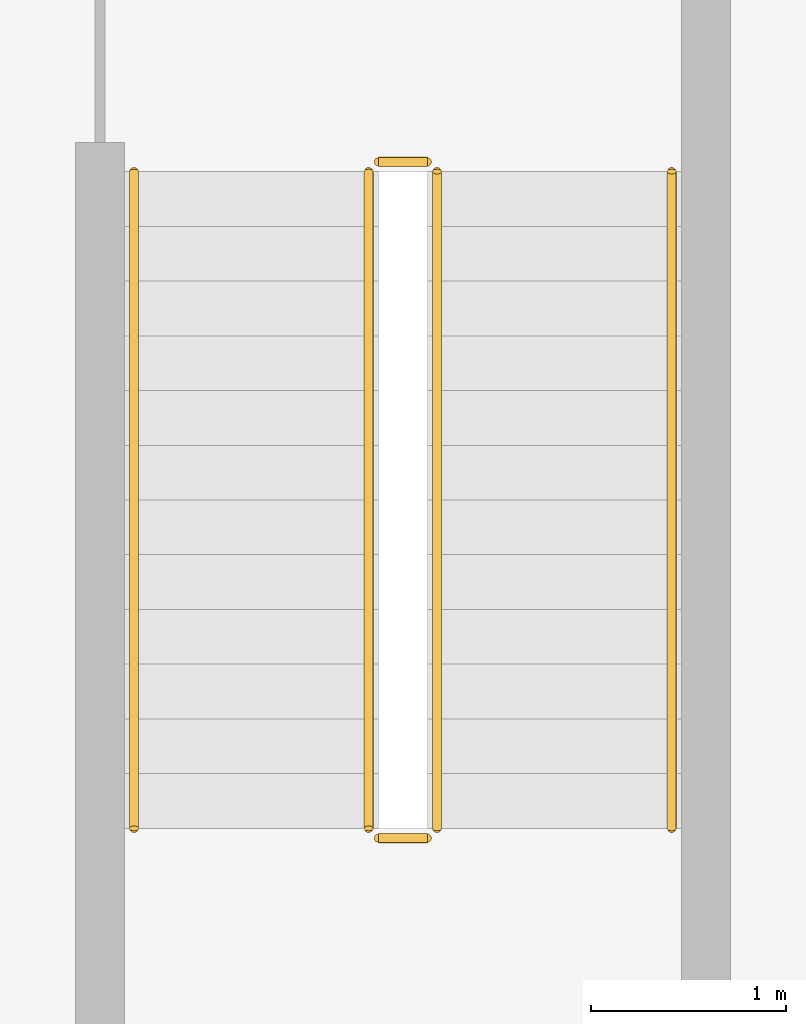
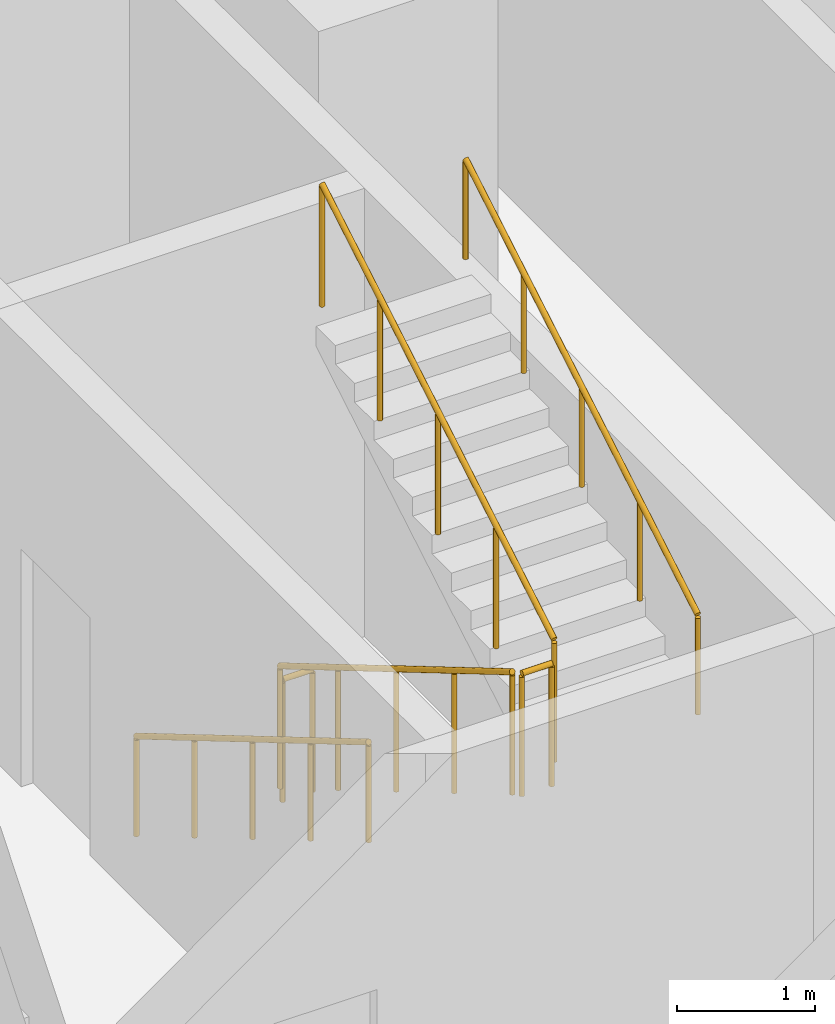
# One storey, part 25 of 29: 6 railings.
"""IFC4 building model written with IfcOpenShell, lengths in metres."""

from ifc_helpers import new_model, si_unit, direction, frame, origin, origin_2d, place, context, subcontext, project, spatial, circle, extrude, material, type_object, element, save


model = new_model("IFC4")

# Units and contexts
model_context = context("Model", 3, precision=1e-05, world=origin(), true_north=direction((0.0, 1.0)))
body_context = subcontext(model_context, "Body", "Model", "MODEL_VIEW")
ifc_project = project(units=[si_unit("LENGTHUNIT", "METRE"), si_unit("AREAUNIT", "SQUARE_METRE"), si_unit("VOLUMEUNIT", "CUBIC_METRE"), si_unit("PLANEANGLEUNIT", "RADIAN"), si_unit("MASSUNIT", "GRAM", prefix="KILO")], contexts=[model_context])

# Site, building, storey
site_placement = place(None, origin())
site = spatial("IfcSite", under=ifc_project, at=site_placement, CompositionType="ELEMENT")
building_placement = place(site_placement, origin())
building = spatial("IfcBuilding", under=site, at=building_placement, Name="Mahtab Terrace Research Tower", CompositionType="ELEMENT")
storey_placement = place(building_placement, frame((0.0, 0.0, 63.199951171875)))
storey = spatial("IfcBuildingStorey", under=building, at=storey_placement, Name="L14", CompositionType="ELEMENT", Elevation=63.199951171875)

# Railings
ifc_material = material(Name="Stainless steel AISI 304", Category="steel")
railing_type_1 = type_object("IfcRailingType", Name="Stair guard 1100", PredefinedType="GUARDRAIL", material=ifc_material)
railing_1_placement = place(storey_placement, frame((2.949951171875, -4.175048828125, 0.16552734375)))
element("IfcRailing", 1, at=railing_1_placement, inside=storey, type_object=railing_type_1, Name="L14 ST2 stair guard 1", PredefinedType="GUARDRAIL", context=body_context, shape_type="SweptSolid", body=[
    extrude(circle(Radius=0.02392578125, at=origin_2d()), frame((0.0, 0.0, 1.076171875), z_axis=(0.0, -0.861011212953, 0.508585972249), x_axis=(1.0, 0.0, 0.0)), (0.0, 0.0, 1.0), 3.90234375),
    extrude(circle(Radius=0.02099609375, at=origin_2d()), origin(), (0.0, 0.0, 1.0), 1.052001953125),
    extrude(circle(Radius=0.02099609375, at=origin_2d()), frame((0.0, -0.83984375, 0.49609375)), (0.0, 0.0, 1.0), 1.052001953125),
    extrude(circle(Radius=0.02099609375, at=origin_2d()), frame((0.0, -1.679931640625, 0.9921875)), (0.0, 0.0, 1.0), 1.052001953125),
    extrude(circle(Radius=0.02099609375, at=origin_2d()), frame((0.0, -2.52001953125, 1.488525390625)), (0.0, 0.0, 1.0), 1.052001953125),
    extrude(circle(Radius=0.02099609375, at=origin_2d()), frame((0.0, -3.35986328125, 1.984619140625)), (0.0, 0.0, 1.0), 1.052001953125),
])
railing_2_placement = place(storey_placement, frame((3.0, -7.5849609375, 2.150146484375)))
element("IfcRailing", 2, at=railing_2_placement, inside=storey, type_object=railing_type_1, Name="L14 ST2 stair guard 2", PredefinedType="GUARDRAIL", context=body_context, shape_type="SweptSolid", body=[
    extrude(circle(Radius=0.02392578125, at=origin_2d()), frame((0.0, 0.0, 1.076171875), z_axis=(1.0, 0.0, 0.0), x_axis=(0.0, 1.0, 0.0)), (0.0, 0.0, 1.0), 0.25),
    extrude(circle(Radius=0.02099609375, at=origin_2d()), origin(), (0.0, 0.0, 1.0), 1.052001953125),
    extrude(circle(Radius=0.02099609375, at=origin_2d()), frame((0.25, 0.0, 0.0)), (0.0, 0.0, 1.0), 1.052001953125),
])
railing_3_placement = place(storey_placement, frame((3.300048828125, -7.534912109375, 2.3154296875)))
element("IfcRailing", 3, at=railing_3_placement, inside=storey, type_object=railing_type_1, Name="L14 ST2 stair guard 3", PredefinedType="GUARDRAIL", context=body_context, shape_type="SweptSolid", body=[
    extrude(circle(Radius=0.02392578125, at=origin_2d()), frame((0.0, 0.0, 1.076171875), z_axis=(0.0, 0.861011212953, 0.508585972249), x_axis=(-1.0, 0.0, 0.0)), (0.0, 0.0, 1.0), 3.90234375),
    extrude(circle(Radius=0.02099609375, at=origin_2d()), origin(), (0.0, 0.0, 1.0), 1.052001953125),
    extrude(circle(Radius=0.02099609375, at=origin_2d()), frame((0.0, 0.83984375, 0.49609375)), (0.0, 0.0, 1.0), 1.052001953125),
    extrude(circle(Radius=0.02099609375, at=origin_2d()), frame((0.0, 1.679931640625, 0.9921875)), (0.0, 0.0, 1.0), 1.052001953125),
    extrude(circle(Radius=0.02099609375, at=origin_2d()), frame((0.0, 2.52001953125, 1.488525390625)), (0.0, 0.0, 1.0), 1.052001953125),
    extrude(circle(Radius=0.02099609375, at=origin_2d()), frame((0.0, 3.35986328125, 1.984619140625)), (0.0, 0.0, 1.0), 1.052001953125),
])
railing_4_placement = place(storey_placement, frame((3.0, -4.125, 0.0)))
element("IfcRailing", 4, at=railing_4_placement, inside=storey, type_object=railing_type_1, Name="L14 ST2 stair guard 4", PredefinedType="GUARDRAIL", context=body_context, shape_type="SweptSolid", body=[
    extrude(circle(Radius=0.02392578125, at=origin_2d()), frame((0.0, 0.0, 1.076171875), z_axis=(1.0, 0.0, 0.0), x_axis=(0.0, 1.0, 0.0)), (0.0, 0.0, 1.0), 0.25),
    extrude(circle(Radius=0.02099609375, at=origin_2d()), origin(), (0.0, 0.0, 1.0), 1.052001953125),
    extrude(circle(Radius=0.02099609375, at=origin_2d()), frame((0.25, 0.0, 0.0)), (0.0, 0.0, 1.0), 1.052001953125),
])
railing_type_2 = type_object("IfcRailingType", Name="Stair handrail 900", PredefinedType="HANDRAIL", material=ifc_material)
railing_5_placement = place(storey_placement, frame((1.75, -4.175048828125, 0.16552734375)))
element("IfcRailing", 5, at=railing_5_placement, inside=storey, type_object=railing_type_2, Name="L14 ST2 stair handrail 1", PredefinedType="HANDRAIL", context=body_context, shape_type="SweptSolid", body=[
    extrude(circle(Radius=0.02392578125, at=origin_2d()), frame((0.0, 0.0, 0.8759765625), z_axis=(0.0, -0.861011212953, 0.508585972249), x_axis=(1.0, 0.0, 0.0)), (0.0, 0.0, 1.0), 3.90234375),
    extrude(circle(Radius=0.02099609375, at=origin_2d()), origin(), (0.0, 0.0, 1.0), 0.851806640625),
    extrude(circle(Radius=0.02099609375, at=origin_2d()), frame((0.0, -0.83984375, 0.49609375)), (0.0, 0.0, 1.0), 0.851806640625),
    extrude(circle(Radius=0.02099609375, at=origin_2d()), frame((0.0, -1.679931640625, 0.9921875)), (0.0, 0.0, 1.0), 0.851806640625),
    extrude(circle(Radius=0.02099609375, at=origin_2d()), frame((0.0, -2.52001953125, 1.488525390625)), (0.0, 0.0, 1.0), 0.851806640625),
    extrude(circle(Radius=0.02099609375, at=origin_2d()), frame((0.0, -3.35986328125, 1.984619140625)), (0.0, 0.0, 1.0), 0.851806640625),
])
railing_6_placement = place(storey_placement, frame((4.5, -7.534912109375, 2.3154296875)))
element("IfcRailing", 6, at=railing_6_placement, inside=storey, type_object=railing_type_2, Name="L14 ST2 stair handrail 2", PredefinedType="HANDRAIL", context=body_context, shape_type="SweptSolid", body=[
    extrude(circle(Radius=0.02392578125, at=origin_2d()), frame((0.0, 0.0, 0.8759765625), z_axis=(0.0, 0.861011212953, 0.508585972249), x_axis=(-1.0, 0.0, 0.0)), (0.0, 0.0, 1.0), 3.90234375),
    extrude(circle(Radius=0.02099609375, at=origin_2d()), origin(), (0.0, 0.0, 1.0), 0.851806640625),
    extrude(circle(Radius=0.02099609375, at=origin_2d()), frame((0.0, 0.83984375, 0.49609375)), (0.0, 0.0, 1.0), 0.851806640625),
    extrude(circle(Radius=0.02099609375, at=origin_2d()), frame((0.0, 1.679931640625, 0.9921875)), (0.0, 0.0, 1.0), 0.851806640625),
    extrude(circle(Radius=0.02099609375, at=origin_2d()), frame((0.0, 2.52001953125, 1.488525390625)), (0.0, 0.0, 1.0), 0.851806640625),
    extrude(circle(Radius=0.02099609375, at=origin_2d()), frame((0.0, 3.35986328125, 1.984619140625)), (0.0, 0.0, 1.0), 0.851806640625),
])

save(model, "model.ifc")
